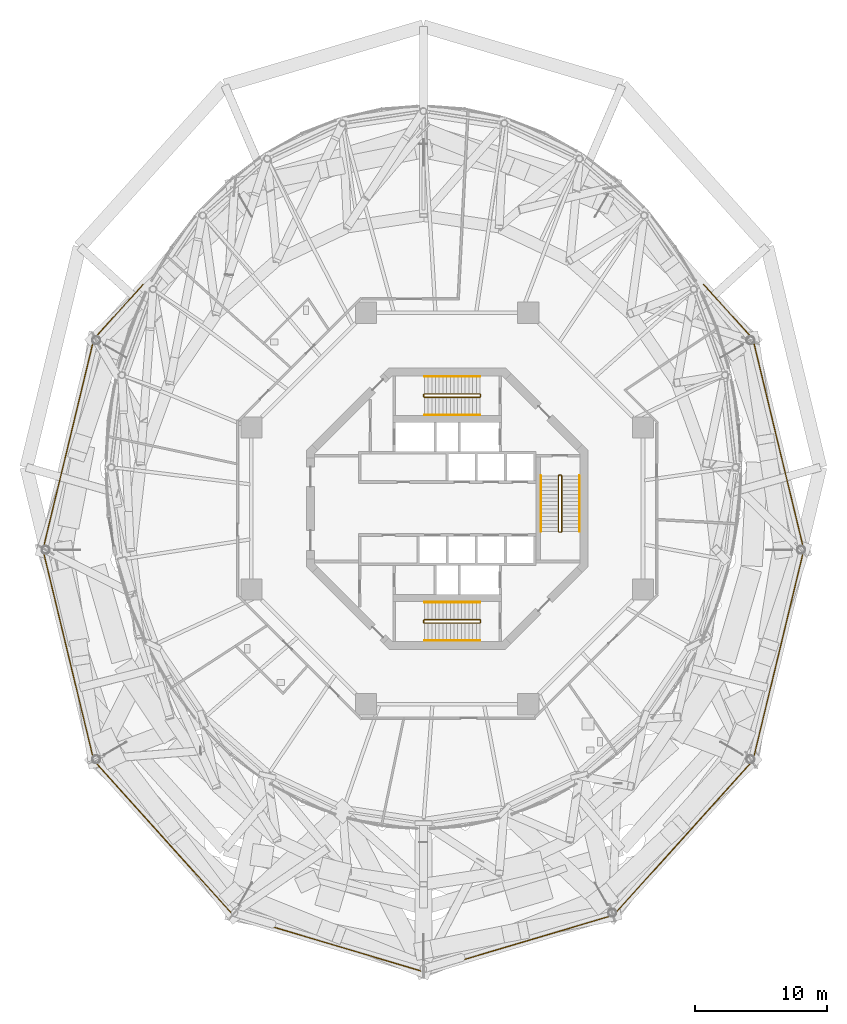
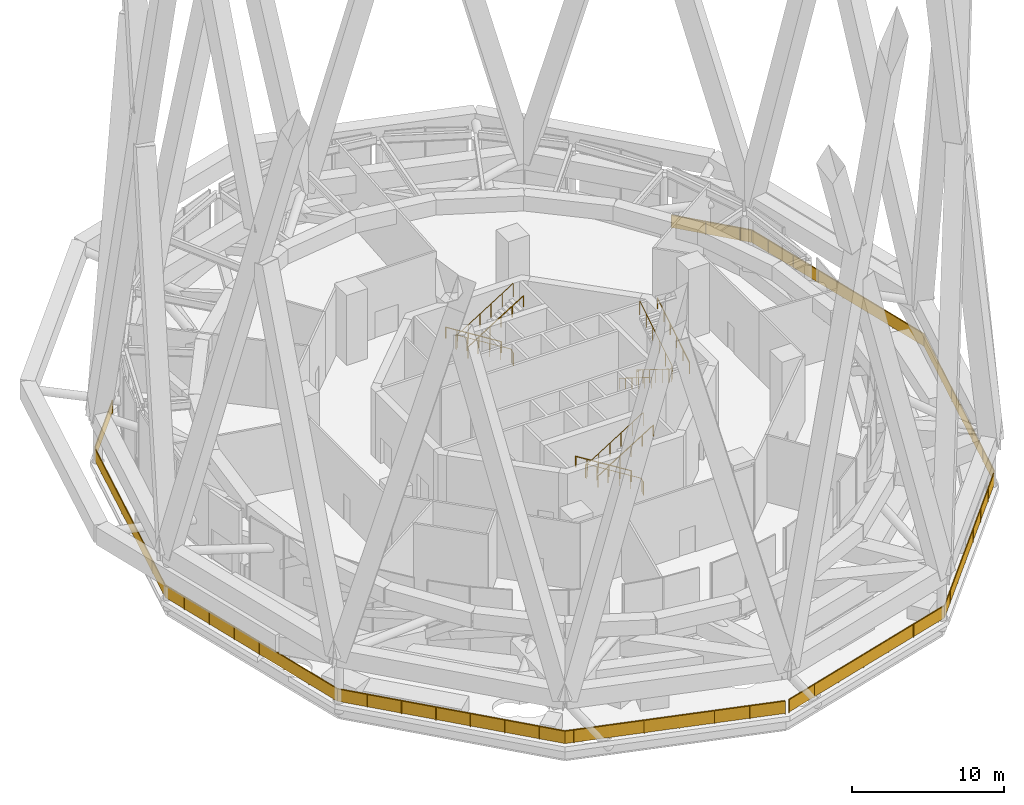
# One storey, part 47 of 48: 11 railings.
"""IFC4 building model written with IfcOpenShell, lengths in metres."""

from ifc_helpers import new_model, si_unit, direction, frame, origin, origin_2d, place, context, subcontext, project, spatial, polyline, rectangle, circle, outline, extrude, material, type_object, element, save


model = new_model("IFC4")

# Units and contexts
model_context = context("Model", 3, precision=1e-05, world=origin(), true_north=direction((0.0, 1.0)))
body_context = subcontext(model_context, "Body", "Model", "MODEL_VIEW")
ifc_project = project(units=[si_unit("LENGTHUNIT", "METRE"), si_unit("AREAUNIT", "SQUARE_METRE"), si_unit("VOLUMEUNIT", "CUBIC_METRE"), si_unit("PLANEANGLEUNIT", "RADIAN"), si_unit("MASSUNIT", "GRAM", prefix="KILO")], contexts=[model_context])

# Site, building, storey
site_placement = place(None, origin())
site = spatial("IfcSite", under=ifc_project, at=site_placement, CompositionType="ELEMENT")
building_placement = place(site_placement, origin())
building = spatial("IfcBuilding", under=site, at=building_placement, Name="Nagisa Residences", CompositionType="ELEMENT")
storey_placement = place(building_placement, frame((0.0, 0.0, 252.89990234375)))
storey = spatial("IfcBuildingStorey", under=building, at=storey_placement, Name="L64", CompositionType="ELEMENT", Elevation=252.89990234375)

# Railings
ifc_material_1 = material(Name="Stainless steel 316", Category="steel")
railing_type_1 = type_object("IfcRailingType", Name="ROOF GUARD 1100", PredefinedType="GUARDRAIL", material=ifc_material_1)
railing_1_placement = place(storey_placement, frame((-1.94384765625, -34.923583984375, 0.0)))
element("IfcRailing", 1, at=railing_1_placement, inside=storey, type_object=railing_type_1, Name="guard:L64:deck00-0", PredefinedType="GUARDRAIL", context=body_context, shape_type="SweptSolid", body=[
    extrude(outline(polyline([(-14.240966796875, 4.207275390625), (-0.007080078125, -0.02392578125), (0.007080078125, 0.02392578125), (-14.213134765625, 4.251220703125), (-24.71484375, 15.901611328125), (-28.55615234375, 31.805908203125), (-24.71484375, 47.710205078125), (-21.0, 51.8310546875), (-21.037109375, 51.86474609375), (-24.7607421875, 47.734130859375), (-28.607421875, 31.805908203125), (-24.7607421875, 15.877685546875), (-14.240966796875, 4.207275390625)])), frame((0.0, 0.0, 1.050048828125)), (0.0, 0.0, 1.0), 0.050048828125),
    extrude(outline(polyline([(-14.23095703125, 4.22314453125), (-0.001953125, -0.006591796875), (0.001953125, 0.006591796875), (-14.22314453125, 4.2353515625), (-24.7314453125, 15.89306640625), (-28.57470703125, 31.805908203125), (-24.7314453125, 47.71875), (-21.013427734375, 51.84326171875), (-21.023681640625, 51.8525390625), (-24.744140625, 47.7255859375), (-28.5888671875, 31.805908203125), (-24.744140625, 15.88623046875), (-14.23095703125, 4.22314453125)])), frame((0.0, 0.0, 0.06005859375)), (0.0, 0.0, 1.0), 0.989990234375),
    extrude(rectangle(XDim=0.0400390625, YDim=0.0400390625, at=origin_2d()), origin(), (0.0, 0.0, 1.0), 1.050048828125),
    extrude(rectangle(XDim=0.0400390625, YDim=0.0400390625, at=origin_2d()), frame((-2.275390625, 0.676513671875, 0.0)), (0.0, 0.0, 1.0), 1.050048828125),
    extrude(rectangle(XDim=0.0400390625, YDim=0.0400390625, at=origin_2d()), frame((-4.551025390625, 1.352783203125, 0.0)), (0.0, 0.0, 1.0), 1.050048828125),
    extrude(rectangle(XDim=0.0400390625, YDim=0.0400390625, at=origin_2d()), frame((-6.826416015625, 2.029296875, 0.0)), (0.0, 0.0, 1.0), 1.050048828125),
    extrude(rectangle(XDim=0.0400390625, YDim=0.0400390625, at=origin_2d()), frame((-9.10205078125, 2.705810546875, 0.0)), (0.0, 0.0, 1.0), 1.050048828125),
    extrude(rectangle(XDim=0.0400390625, YDim=0.0400390625, at=origin_2d()), frame((-11.37744140625, 3.382080078125, 0.0)), (0.0, 0.0, 1.0), 1.050048828125),
    extrude(rectangle(XDim=0.0400390625, YDim=0.0400390625, at=origin_2d()), frame((-13.65283203125, 4.05859375, 0.0)), (0.0, 0.0, 1.0), 1.050048828125),
    extrude(rectangle(XDim=0.0400390625, YDim=0.0400390625, at=origin_2d()), frame((-15.41552734375, 5.547607421875, 0.0)), (0.0, 0.0, 1.0), 1.050048828125),
    extrude(rectangle(XDim=0.0400390625, YDim=0.0400390625, at=origin_2d()), frame((-17.0048828125, 7.31103515625, 0.0)), (0.0, 0.0, 1.0), 1.050048828125),
    extrude(rectangle(XDim=0.0400390625, YDim=0.0400390625, at=origin_2d()), frame((-18.59423828125, 9.07421875, 0.0)), (0.0, 0.0, 1.0), 1.050048828125),
    extrude(rectangle(XDim=0.0400390625, YDim=0.0400390625, at=origin_2d()), frame((-20.183837890625, 10.83740234375, 0.0)), (0.0, 0.0, 1.0), 1.050048828125),
    extrude(rectangle(XDim=0.0400390625, YDim=0.0400390625, at=origin_2d()), frame((-21.773193359375, 12.600830078125, 0.0)), (0.0, 0.0, 1.0), 1.050048828125),
    extrude(rectangle(XDim=0.0400390625, YDim=0.0400390625, at=origin_2d()), frame((-23.362548828125, 14.364013671875, 0.0)), (0.0, 0.0, 1.0), 1.050048828125),
    extrude(rectangle(XDim=0.0400390625, YDim=0.0400390625, at=origin_2d()), frame((-24.81298828125, 16.20068359375, 0.0)), (0.0, 0.0, 1.0), 1.050048828125),
    extrude(rectangle(XDim=0.0400390625, YDim=0.0400390625, at=origin_2d()), frame((-25.3701171875, 18.50830078125, 0.0)), (0.0, 0.0, 1.0), 1.050048828125),
    extrude(rectangle(XDim=0.0400390625, YDim=0.0400390625, at=origin_2d()), frame((-25.927490234375, 20.815673828125, 0.0)), (0.0, 0.0, 1.0), 1.050048828125),
    extrude(rectangle(XDim=0.0400390625, YDim=0.0400390625, at=origin_2d()), frame((-26.48486328125, 23.123291015625, 0.0)), (0.0, 0.0, 1.0), 1.050048828125),
    extrude(rectangle(XDim=0.0400390625, YDim=0.0400390625, at=origin_2d()), frame((-27.042236328125, 25.430908203125, 0.0)), (0.0, 0.0, 1.0), 1.050048828125),
    extrude(rectangle(XDim=0.0400390625, YDim=0.0400390625, at=origin_2d()), frame((-27.599365234375, 27.738525390625, 0.0)), (0.0, 0.0, 1.0), 1.050048828125),
    extrude(rectangle(XDim=0.0400390625, YDim=0.0400390625, at=origin_2d()), frame((-28.15673828125, 30.0458984375, 0.0)), (0.0, 0.0, 1.0), 1.050048828125),
    extrude(rectangle(XDim=0.0400390625, YDim=0.0400390625, at=origin_2d()), frame((-28.449462890625, 32.353515625, 0.0)), (0.0, 0.0, 1.0), 1.050048828125),
    extrude(rectangle(XDim=0.0400390625, YDim=0.0400390625, at=origin_2d()), frame((-27.89208984375, 34.6611328125, 0.0)), (0.0, 0.0, 1.0), 1.050048828125),
    extrude(rectangle(XDim=0.0400390625, YDim=0.0400390625, at=origin_2d()), frame((-27.3349609375, 36.96875, 0.0)), (0.0, 0.0, 1.0), 1.050048828125),
    extrude(rectangle(XDim=0.0400390625, YDim=0.0400390625, at=origin_2d()), frame((-26.777587890625, 39.2763671875, 0.0)), (0.0, 0.0, 1.0), 1.050048828125),
    extrude(rectangle(XDim=0.0400390625, YDim=0.0400390625, at=origin_2d()), frame((-26.22021484375, 41.583740234375, 0.0)), (0.0, 0.0, 1.0), 1.050048828125),
    extrude(rectangle(XDim=0.0400390625, YDim=0.0400390625, at=origin_2d()), frame((-25.6630859375, 43.891357421875, 0.0)), (0.0, 0.0, 1.0), 1.050048828125),
    extrude(rectangle(XDim=0.0400390625, YDim=0.0400390625, at=origin_2d()), frame((-25.105712890625, 46.198974609375, 0.0)), (0.0, 0.0, 1.0), 1.050048828125),
    extrude(rectangle(XDim=0.0400390625, YDim=0.0400390625, at=origin_2d()), frame((-24.197509765625, 48.321533203125, 0.0)), (0.0, 0.0, 1.0), 1.050048828125),
    extrude(rectangle(XDim=0.0400390625, YDim=0.0400390625, at=origin_2d()), frame((-22.608154296875, 50.084716796875, 0.0)), (0.0, 0.0, 1.0), 1.050048828125),
    extrude(rectangle(XDim=0.0400390625, YDim=0.0400390625, at=origin_2d()), frame((-21.0185546875, 51.847900390625, 0.0)), (0.0, 0.0, 1.0), 1.050048828125),
])
railing_2_placement = place(storey_placement, frame((19.362548828125, 16.92431640625, 0.0)))
element("IfcRailing", 2, at=railing_2_placement, inside=storey, type_object=railing_type_1, Name="guard:L64:deck01-0", PredefinedType="GUARDRAIL", context=body_context, shape_type="SweptSolid", body=[
    extrude(outline(polyline([(3.741943359375, -4.11376953125), (0.0185546875, 0.016845703125), (-0.0185546875, -0.016845703125), (3.696044921875, -4.1376953125), (7.53759765625, -20.0419921875), (3.696044921875, -35.9462890625), (-6.8056640625, -47.5966796875), (-21.02587890625, -51.823974609375), (-21.01171875, -51.871826171875), (-6.77783203125, -47.640625), (3.741943359375, -35.97021484375), (7.5888671875, -20.0419921875), (3.741943359375, -4.11376953125)])), frame((0.0, 0.0, 1.050048828125)), (0.0, 0.0, 1.0), 0.050048828125),
    extrude(outline(polyline([(3.725341796875, -4.122314453125), (0.005126953125, 0.004638671875), (-0.005126953125, -0.004638671875), (3.712646484375, -4.129150390625), (7.55615234375, -20.0419921875), (3.712646484375, -35.954833984375), (-6.795654296875, -47.612548828125), (-21.020751953125, -51.84130859375), (-21.016845703125, -51.8544921875), (-6.787841796875, -47.624755859375), (3.725341796875, -35.961669921875), (7.5703125, -20.0419921875), (3.725341796875, -4.122314453125)])), frame((0.0, 0.0, 0.06005859375)), (0.0, 0.0, 1.0), 0.989990234375),
    extrude(rectangle(XDim=0.0400390625, YDim=0.0400390625, at=origin_2d()), origin(), (0.0, 0.0, 1.0), 1.050048828125),
    extrude(rectangle(XDim=0.0400390625, YDim=0.0400390625, at=origin_2d()), frame((1.58935546875, -1.76318359375, 0.0)), (0.0, 0.0, 1.0), 1.050048828125),
    extrude(rectangle(XDim=0.0400390625, YDim=0.0400390625, at=origin_2d()), frame((3.178955078125, -3.526611328125, 0.0)), (0.0, 0.0, 1.0), 1.050048828125),
    extrude(rectangle(XDim=0.0400390625, YDim=0.0400390625, at=origin_2d()), frame((4.0869140625, -5.649169921875, 0.0)), (0.0, 0.0, 1.0), 1.050048828125),
    extrude(rectangle(XDim=0.0400390625, YDim=0.0400390625, at=origin_2d()), frame((4.644287109375, -7.956787109375, 0.0)), (0.0, 0.0, 1.0), 1.050048828125),
    extrude(rectangle(XDim=0.0400390625, YDim=0.0400390625, at=origin_2d()), frame((5.20166015625, -10.26416015625, 0.0)), (0.0, 0.0, 1.0), 1.050048828125),
    extrude(rectangle(XDim=0.0400390625, YDim=0.0400390625, at=origin_2d()), frame((5.759033203125, -12.57177734375, 0.0)), (0.0, 0.0, 1.0), 1.050048828125),
    extrude(rectangle(XDim=0.0400390625, YDim=0.0400390625, at=origin_2d()), frame((6.31640625, -14.87939453125, 0.0)), (0.0, 0.0, 1.0), 1.050048828125),
    extrude(rectangle(XDim=0.0400390625, YDim=0.0400390625, at=origin_2d()), frame((6.87353515625, -17.186767578125, 0.0)), (0.0, 0.0, 1.0), 1.050048828125),
    extrude(rectangle(XDim=0.0400390625, YDim=0.0400390625, at=origin_2d()), frame((7.430908203125, -19.494384765625, 0.0)), (0.0, 0.0, 1.0), 1.050048828125),
    extrude(rectangle(XDim=0.0400390625, YDim=0.0400390625, at=origin_2d()), frame((7.13818359375, -21.802001953125, 0.0)), (0.0, 0.0, 1.0), 1.050048828125),
    extrude(rectangle(XDim=0.0400390625, YDim=0.0400390625, at=origin_2d()), frame((6.580810546875, -24.109619140625, 0.0)), (0.0, 0.0, 1.0), 1.050048828125),
    extrude(rectangle(XDim=0.0400390625, YDim=0.0400390625, at=origin_2d()), frame((6.0234375, -26.4169921875, 0.0)), (0.0, 0.0, 1.0), 1.050048828125),
    extrude(rectangle(XDim=0.0400390625, YDim=0.0400390625, at=origin_2d()), frame((5.466064453125, -28.724609375, 0.0)), (0.0, 0.0, 1.0), 1.050048828125),
    extrude(rectangle(XDim=0.0400390625, YDim=0.0400390625, at=origin_2d()), frame((4.90869140625, -31.0322265625, 0.0)), (0.0, 0.0, 1.0), 1.050048828125),
    extrude(rectangle(XDim=0.0400390625, YDim=0.0400390625, at=origin_2d()), frame((4.3515625, -33.339599609375, 0.0)), (0.0, 0.0, 1.0), 1.050048828125),
    extrude(rectangle(XDim=0.0400390625, YDim=0.0400390625, at=origin_2d()), frame((3.794189453125, -35.647216796875, 0.0)), (0.0, 0.0, 1.0), 1.050048828125),
    extrude(rectangle(XDim=0.0400390625, YDim=0.0400390625, at=origin_2d()), frame((2.34375, -37.48388671875, 0.0)), (0.0, 0.0, 1.0), 1.050048828125),
    extrude(rectangle(XDim=0.0400390625, YDim=0.0400390625, at=origin_2d()), frame((0.75439453125, -39.2470703125, 0.0)), (0.0, 0.0, 1.0), 1.050048828125),
    extrude(rectangle(XDim=0.0400390625, YDim=0.0400390625, at=origin_2d()), frame((-0.8349609375, -41.010498046875, 0.0)), (0.0, 0.0, 1.0), 1.050048828125),
    extrude(rectangle(XDim=0.0400390625, YDim=0.0400390625, at=origin_2d()), frame((-2.424560546875, -42.773681640625, 0.0)), (0.0, 0.0, 1.0), 1.050048828125),
    extrude(rectangle(XDim=0.0400390625, YDim=0.0400390625, at=origin_2d()), frame((-4.013916015625, -44.536865234375, 0.0)), (0.0, 0.0, 1.0), 1.050048828125),
    extrude(rectangle(XDim=0.0400390625, YDim=0.0400390625, at=origin_2d()), frame((-5.603271484375, -46.30029296875, 0.0)), (0.0, 0.0, 1.0), 1.050048828125),
    extrude(rectangle(XDim=0.0400390625, YDim=0.0400390625, at=origin_2d()), frame((-7.365966796875, -47.789306640625, 0.0)), (0.0, 0.0, 1.0), 1.050048828125),
    extrude(rectangle(XDim=0.0400390625, YDim=0.0400390625, at=origin_2d()), frame((-9.641357421875, -48.4658203125, 0.0)), (0.0, 0.0, 1.0), 1.050048828125),
    extrude(rectangle(XDim=0.0400390625, YDim=0.0400390625, at=origin_2d()), frame((-11.916748046875, -49.14208984375, 0.0)), (0.0, 0.0, 1.0), 1.050048828125),
    extrude(rectangle(XDim=0.0400390625, YDim=0.0400390625, at=origin_2d()), frame((-14.1923828125, -49.818603515625, 0.0)), (0.0, 0.0, 1.0), 1.050048828125),
    extrude(rectangle(XDim=0.0400390625, YDim=0.0400390625, at=origin_2d()), frame((-16.4677734375, -50.4951171875, 0.0)), (0.0, 0.0, 1.0), 1.050048828125),
    extrude(rectangle(XDim=0.0400390625, YDim=0.0400390625, at=origin_2d()), frame((-18.743408203125, -51.17138671875, 0.0)), (0.0, 0.0, 1.0), 1.050048828125),
    extrude(rectangle(XDim=0.0400390625, YDim=0.0400390625, at=origin_2d()), frame((-21.018798828125, -51.847900390625, 0.0)), (0.0, 0.0, 1.0), 1.050048828125),
])
ifc_material_2 = material(Name="Stainless steel", Category="steel")
railing_type_2 = type_object("IfcRailingType", Name="Stair guard 1100", PredefinedType="GUARDRAIL", material=ifc_material_2)
railing_3_placement = place(storey_placement, frame((8.599609375, 2.52490234375, 0.0)))
element("IfcRailing", 3, at=railing_3_placement, inside=storey, type_object=railing_type_2, Name="L64 ST-E stair guard 1", PredefinedType="GUARDRAIL", context=body_context, shape_type="SweptSolid", body=[
    extrude(circle(Radius=0.02392578125, at=origin_2d()), frame((0.0, 0.0, 1.076171875), z_axis=(-1.0, 0.0, 0.0), x_axis=(0.0, -1.0, 0.0)), (0.0, 0.0, 1.0), 0.14990234375),
    extrude(circle(Radius=0.02392578125, at=origin_2d()), frame((-0.14990234375, 0.0, 1.076171875), z_axis=(-0.265155923931, -0.263862480399, 0.927399011991), x_axis=(0.705375805398, -0.708833529934, 0.0)), (0.0, 0.0, 1.0), 0.188720703125),
    extrude(circle(Radius=0.02392578125, at=origin_2d()), frame((-0.199951171875, -0.0498046875, 1.2509765625), z_axis=(0.0, -0.848009380541, 0.529981217134), x_axis=(1.0, 0.0, 0.0)), (0.0, 0.0, 1.0), 4.953125),
    extrude(circle(Radius=0.02392578125, at=origin_2d()), frame((-0.199951171875, -4.25, 3.8759765625), z_axis=(0.708833529934, -0.705375805398, 0.0), x_axis=(0.705375805398, 0.708833529934, 0.0)), (0.0, 0.0, 1.0), 0.070556640625),
    extrude(circle(Radius=0.02392578125, at=origin_2d()), frame((-0.14990234375, -4.2998046875, 3.8759765625), z_axis=(1.0, 0.0, 0.0), x_axis=(0.0, 1.0, 0.0)), (0.0, 0.0, 1.0), 0.14990234375),
    extrude(circle(Radius=0.02392578125, at=origin_2d()), frame((0.0, -4.2998046875, 3.8759765625), z_axis=(0.265155923931, 0.263862480399, 0.927399011991), x_axis=(-0.705375805398, 0.708833529934, 0.0)), (0.0, 0.0, 1.0), 0.188720703125),
    extrude(circle(Radius=0.02392578125, at=origin_2d()), frame((0.050048828125, -4.25, 4.05126953125), z_axis=(0.0, 0.848009380541, 0.529981217134), x_axis=(-1.0, 0.0, 0.0)), (0.0, 0.0, 1.0), 4.953125),
    extrude(circle(Radius=0.02099609375, at=origin_2d()), origin(), (0.0, 0.0, 1.0), 1.052001953125),
    extrude(circle(Radius=0.02099609375, at=origin_2d()), frame((-0.14990234375, 0.0, 0.0)), (0.0, 0.0, 1.0), 1.052001953125),
    extrude(circle(Radius=0.02099609375, at=origin_2d()), frame((-0.199951171875, -0.0498046875, 0.175048828125)), (0.0, 0.0, 1.0), 1.052001953125),
    extrude(circle(Radius=0.02099609375, at=origin_2d()), frame((-0.199951171875, -0.889892578125, 0.699951171875)), (0.0, 0.0, 1.0), 1.052001953125),
    extrude(circle(Radius=0.02099609375, at=origin_2d()), frame((-0.199951171875, -1.72998046875, 1.22509765625)), (0.0, 0.0, 1.0), 1.052001953125),
    extrude(circle(Radius=0.02099609375, at=origin_2d()), frame((-0.199951171875, -2.56982421875, 1.75)), (0.0, 0.0, 1.0), 1.052001953125),
    extrude(circle(Radius=0.02099609375, at=origin_2d()), frame((-0.199951171875, -3.409912109375, 2.275146484375)), (0.0, 0.0, 1.0), 1.052001953125),
    extrude(circle(Radius=0.02099609375, at=origin_2d()), frame((-0.199951171875, -4.25, 2.800048828125)), (0.0, 0.0, 1.0), 1.052001953125),
    extrude(circle(Radius=0.02099609375, at=origin_2d()), frame((-0.14990234375, -4.2998046875, 2.800048828125)), (0.0, 0.0, 1.0), 1.052001953125),
    extrude(circle(Radius=0.02099609375, at=origin_2d()), frame((0.0, -4.2998046875, 2.800048828125)), (0.0, 0.0, 1.0), 1.052001953125),
    extrude(circle(Radius=0.02099609375, at=origin_2d()), frame((0.050048828125, -4.25, 2.97509765625)), (0.0, 0.0, 1.0), 1.052001953125),
    extrude(circle(Radius=0.02099609375, at=origin_2d()), frame((0.050048828125, -3.409912109375, 3.5)), (0.0, 0.0, 1.0), 1.052001953125),
    extrude(circle(Radius=0.02099609375, at=origin_2d()), frame((0.050048828125, -2.56982421875, 4.025146484375)), (0.0, 0.0, 1.0), 1.052001953125),
    extrude(circle(Radius=0.02099609375, at=origin_2d()), frame((0.050048828125, -1.72998046875, 4.550048828125)), (0.0, 0.0, 1.0), 1.052001953125),
    extrude(circle(Radius=0.02099609375, at=origin_2d()), frame((0.050048828125, -0.889892578125, 5.0751953125)), (0.0, 0.0, 1.0), 1.052001953125),
    extrude(circle(Radius=0.02099609375, at=origin_2d()), frame((0.050048828125, -0.0498046875, 5.60009765625)), (0.0, 0.0, 1.0), 1.052001953125),
])
railing_4_placement = place(storey_placement, frame((2.52490234375, 8.44970703125, 0.0)))
element("IfcRailing", 4, at=railing_4_placement, inside=storey, type_object=railing_type_2, Name="L64 ST-N stair guard 1", PredefinedType="GUARDRAIL", context=body_context, shape_type="SweptSolid", body=[
    extrude(circle(Radius=0.02392578125, at=origin_2d()), frame((0.0, 0.0, 1.076171875), z_axis=(0.0, 1.0, 0.0), x_axis=(-1.0, 0.0, 0.0)), (0.0, 0.0, 1.0), 0.14990234375),
    extrude(circle(Radius=0.02392578125, at=origin_2d()), frame((0.0, 0.14990234375, 1.076171875), z_axis=(-0.263862480399, 0.265155923931, 0.927399011991), x_axis=(-0.708833529934, -0.705375805398, 0.0)), (0.0, 0.0, 1.0), 0.188720703125),
    extrude(circle(Radius=0.02392578125, at=origin_2d()), frame((-0.0498046875, 0.199951171875, 1.2509765625), z_axis=(-0.848009380541, 0.0, 0.529981217134), x_axis=(0.0, -1.0, 0.0)), (0.0, 0.0, 1.0), 4.953125),
    extrude(circle(Radius=0.02392578125, at=origin_2d()), frame((-4.25, 0.199951171875, 3.8759765625), z_axis=(-0.705375805398, -0.708833529934, 0.0), x_axis=(0.708833529934, -0.705375805398, 0.0)), (0.0, 0.0, 1.0), 0.070556640625),
    extrude(circle(Radius=0.02392578125, at=origin_2d()), frame((-4.2998046875, 0.14990234375, 3.8759765625), z_axis=(0.0, -1.0, 0.0), x_axis=(1.0, 0.0, 0.0)), (0.0, 0.0, 1.0), 0.14990234375),
    extrude(circle(Radius=0.02392578125, at=origin_2d()), frame((-4.2998046875, 0.0, 3.8759765625), z_axis=(0.263862480399, -0.265155923931, 0.927399011991), x_axis=(0.708833529934, 0.705375805398, 0.0)), (0.0, 0.0, 1.0), 0.188720703125),
    extrude(circle(Radius=0.02392578125, at=origin_2d()), frame((-4.25, -0.050048828125, 4.05126953125), z_axis=(0.848009380541, 0.0, 0.529981217134), x_axis=(0.0, 1.0, 0.0)), (0.0, 0.0, 1.0), 4.953125),
    extrude(circle(Radius=0.02099609375, at=origin_2d()), origin(), (0.0, 0.0, 1.0), 1.052001953125),
    extrude(circle(Radius=0.02099609375, at=origin_2d()), frame((0.0, 0.14990234375, 0.0)), (0.0, 0.0, 1.0), 1.052001953125),
    extrude(circle(Radius=0.02099609375, at=origin_2d()), frame((-0.0498046875, 0.199951171875, 0.175048828125)), (0.0, 0.0, 1.0), 1.052001953125),
    extrude(circle(Radius=0.02099609375, at=origin_2d()), frame((-0.889892578125, 0.199951171875, 0.699951171875)), (0.0, 0.0, 1.0), 1.052001953125),
    extrude(circle(Radius=0.02099609375, at=origin_2d()), frame((-1.72998046875, 0.199951171875, 1.22509765625)), (0.0, 0.0, 1.0), 1.052001953125),
    extrude(circle(Radius=0.02099609375, at=origin_2d()), frame((-2.56982421875, 0.199951171875, 1.75)), (0.0, 0.0, 1.0), 1.052001953125),
    extrude(circle(Radius=0.02099609375, at=origin_2d()), frame((-3.409912109375, 0.199951171875, 2.275146484375)), (0.0, 0.0, 1.0), 1.052001953125),
    extrude(circle(Radius=0.02099609375, at=origin_2d()), frame((-4.25, 0.199951171875, 2.800048828125)), (0.0, 0.0, 1.0), 1.052001953125),
    extrude(circle(Radius=0.02099609375, at=origin_2d()), frame((-4.2998046875, 0.14990234375, 2.800048828125)), (0.0, 0.0, 1.0), 1.052001953125),
    extrude(circle(Radius=0.02099609375, at=origin_2d()), frame((-4.2998046875, 0.0, 2.800048828125)), (0.0, 0.0, 1.0), 1.052001953125),
    extrude(circle(Radius=0.02099609375, at=origin_2d()), frame((-4.25, -0.050048828125, 2.97509765625)), (0.0, 0.0, 1.0), 1.052001953125),
    extrude(circle(Radius=0.02099609375, at=origin_2d()), frame((-3.409912109375, -0.050048828125, 3.5)), (0.0, 0.0, 1.0), 1.052001953125),
    extrude(circle(Radius=0.02099609375, at=origin_2d()), frame((-2.56982421875, -0.050048828125, 4.025146484375)), (0.0, 0.0, 1.0), 1.052001953125),
    extrude(circle(Radius=0.02099609375, at=origin_2d()), frame((-1.72998046875, -0.050048828125, 4.550048828125)), (0.0, 0.0, 1.0), 1.052001953125),
    extrude(circle(Radius=0.02099609375, at=origin_2d()), frame((-0.889892578125, -0.050048828125, 5.0751953125)), (0.0, 0.0, 1.0), 1.052001953125),
    extrude(circle(Radius=0.02099609375, at=origin_2d()), frame((-0.0498046875, -0.050048828125, 5.60009765625)), (0.0, 0.0, 1.0), 1.052001953125),
])
railing_5_placement = place(storey_placement, frame((2.52490234375, -8.599609375, 0.0)))
element("IfcRailing", 5, at=railing_5_placement, inside=storey, type_object=railing_type_2, Name="L64 ST-S stair guard 1", PredefinedType="GUARDRAIL", context=body_context, shape_type="SweptSolid", body=[
    extrude(circle(Radius=0.02392578125, at=origin_2d()), frame((0.0, 0.0, 1.076171875), z_axis=(0.0, 1.0, 0.0), x_axis=(-1.0, 0.0, 0.0)), (0.0, 0.0, 1.0), 0.14990234375),
    extrude(circle(Radius=0.02392578125, at=origin_2d()), frame((0.0, 0.14990234375, 1.076171875), z_axis=(-0.263862480399, 0.265155923931, 0.927399011991), x_axis=(-0.708833529934, -0.705375805398, 0.0)), (0.0, 0.0, 1.0), 0.188720703125),
    extrude(circle(Radius=0.02392578125, at=origin_2d()), frame((-0.0498046875, 0.199951171875, 1.2509765625), z_axis=(-0.848009380541, 0.0, 0.529981217134), x_axis=(0.0, -1.0, 0.0)), (0.0, 0.0, 1.0), 4.953125),
    extrude(circle(Radius=0.02392578125, at=origin_2d()), frame((-4.25, 0.199951171875, 3.8759765625), z_axis=(-0.705375805398, -0.708833529934, 0.0), x_axis=(0.708833529934, -0.705375805398, 0.0)), (0.0, 0.0, 1.0), 0.070556640625),
    extrude(circle(Radius=0.02392578125, at=origin_2d()), frame((-4.2998046875, 0.14990234375, 3.8759765625), z_axis=(0.0, -1.0, 0.0), x_axis=(1.0, 0.0, 0.0)), (0.0, 0.0, 1.0), 0.14990234375),
    extrude(circle(Radius=0.02392578125, at=origin_2d()), frame((-4.2998046875, 0.0, 3.8759765625), z_axis=(0.263862480399, -0.265155923931, 0.927399011991), x_axis=(0.708833529934, 0.705375805398, 0.0)), (0.0, 0.0, 1.0), 0.188720703125),
    extrude(circle(Radius=0.02392578125, at=origin_2d()), frame((-4.25, -0.050048828125, 4.05126953125), z_axis=(0.848009380541, 0.0, 0.529981217134), x_axis=(0.0, 1.0, 0.0)), (0.0, 0.0, 1.0), 4.953125),
    extrude(circle(Radius=0.02099609375, at=origin_2d()), origin(), (0.0, 0.0, 1.0), 1.052001953125),
    extrude(circle(Radius=0.02099609375, at=origin_2d()), frame((0.0, 0.14990234375, 0.0)), (0.0, 0.0, 1.0), 1.052001953125),
    extrude(circle(Radius=0.02099609375, at=origin_2d()), frame((-0.0498046875, 0.199951171875, 0.175048828125)), (0.0, 0.0, 1.0), 1.052001953125),
    extrude(circle(Radius=0.02099609375, at=origin_2d()), frame((-0.889892578125, 0.199951171875, 0.699951171875)), (0.0, 0.0, 1.0), 1.052001953125),
    extrude(circle(Radius=0.02099609375, at=origin_2d()), frame((-1.72998046875, 0.199951171875, 1.22509765625)), (0.0, 0.0, 1.0), 1.052001953125),
    extrude(circle(Radius=0.02099609375, at=origin_2d()), frame((-2.56982421875, 0.199951171875, 1.75)), (0.0, 0.0, 1.0), 1.052001953125),
    extrude(circle(Radius=0.02099609375, at=origin_2d()), frame((-3.409912109375, 0.199951171875, 2.275146484375)), (0.0, 0.0, 1.0), 1.052001953125),
    extrude(circle(Radius=0.02099609375, at=origin_2d()), frame((-4.25, 0.199951171875, 2.800048828125)), (0.0, 0.0, 1.0), 1.052001953125),
    extrude(circle(Radius=0.02099609375, at=origin_2d()), frame((-4.2998046875, 0.14990234375, 2.800048828125)), (0.0, 0.0, 1.0), 1.052001953125),
    extrude(circle(Radius=0.02099609375, at=origin_2d()), frame((-4.2998046875, 0.0, 2.800048828125)), (0.0, 0.0, 1.0), 1.052001953125),
    extrude(circle(Radius=0.02099609375, at=origin_2d()), frame((-4.25, -0.050048828125, 2.97509765625)), (0.0, 0.0, 1.0), 1.052001953125),
    extrude(circle(Radius=0.02099609375, at=origin_2d()), frame((-3.409912109375, -0.050048828125, 3.5)), (0.0, 0.0, 1.0), 1.052001953125),
    extrude(circle(Radius=0.02099609375, at=origin_2d()), frame((-2.56982421875, -0.050048828125, 4.025146484375)), (0.0, 0.0, 1.0), 1.052001953125),
    extrude(circle(Radius=0.02099609375, at=origin_2d()), frame((-1.72998046875, -0.050048828125, 4.550048828125)), (0.0, 0.0, 1.0), 1.052001953125),
    extrude(circle(Radius=0.02099609375, at=origin_2d()), frame((-0.889892578125, -0.050048828125, 5.0751953125)), (0.0, 0.0, 1.0), 1.052001953125),
    extrude(circle(Radius=0.02099609375, at=origin_2d()), frame((-0.0498046875, -0.050048828125, 5.60009765625)), (0.0, 0.0, 1.0), 1.052001953125),
])
ifc_material_3 = material(Name="Stainless steel", Category="steel")
railing_type_3 = type_object("IfcRailingType", Name="Stair handrail 900", PredefinedType="HANDRAIL", material=ifc_material_3)
railing_6_placement = place(storey_placement, frame((7.07470703125, 2.47509765625, 0.175048828125)))
element("IfcRailing", 6, at=railing_6_placement, inside=storey, type_object=railing_type_3, Name="L64 ST-E stair handrail 1", PredefinedType="HANDRAIL", context=body_context, shape_type="SweptSolid", body=[
    extrude(circle(Radius=0.02392578125, at=origin_2d()), frame((0.0, 0.0, 0.8759765625), z_axis=(0.0, -0.848009380541, 0.529981217134), x_axis=(1.0, 0.0, 0.0)), (0.0, 0.0, 1.0), 4.953125),
    extrude(circle(Radius=0.02099609375, at=origin_2d()), origin(), (0.0, 0.0, 1.0), 0.851806640625),
    extrude(circle(Radius=0.02099609375, at=origin_2d()), frame((0.0, -0.840087890625, 0.52490234375)), (0.0, 0.0, 1.0), 0.851806640625),
    extrude(circle(Radius=0.02099609375, at=origin_2d()), frame((0.0, -1.68017578125, 1.050048828125)), (0.0, 0.0, 1.0), 0.851806640625),
    extrude(circle(Radius=0.02099609375, at=origin_2d()), frame((0.0, -2.52001953125, 1.574951171875)), (0.0, 0.0, 1.0), 0.851806640625),
    extrude(circle(Radius=0.02099609375, at=origin_2d()), frame((0.0, -3.360107421875, 2.10009765625)), (0.0, 0.0, 1.0), 0.851806640625),
    extrude(circle(Radius=0.02099609375, at=origin_2d()), frame((0.0, -4.2001953125, 2.625)), (0.0, 0.0, 1.0), 0.851806640625),
])
railing_7_placement = place(storey_placement, frame((9.974609375, -1.72509765625, 2.97509765625)))
element("IfcRailing", 7, at=railing_7_placement, inside=storey, type_object=railing_type_3, Name="L64 ST-E stair handrail 2", PredefinedType="HANDRAIL", context=body_context, shape_type="SweptSolid", body=[
    extrude(circle(Radius=0.02392578125, at=origin_2d()), frame((0.0, 0.0, 0.8759765625), z_axis=(0.0, 0.848009380541, 0.529981217134), x_axis=(-1.0, 0.0, 0.0)), (0.0, 0.0, 1.0), 4.953125),
    extrude(circle(Radius=0.02099609375, at=origin_2d()), origin(), (0.0, 0.0, 1.0), 0.851806640625),
    extrude(circle(Radius=0.02099609375, at=origin_2d()), frame((0.0, 0.840087890625, 0.52490234375)), (0.0, 0.0, 1.0), 0.851806640625),
    extrude(circle(Radius=0.02099609375, at=origin_2d()), frame((0.0, 1.68017578125, 1.050048828125)), (0.0, 0.0, 1.0), 0.851806640625),
    extrude(circle(Radius=0.02099609375, at=origin_2d()), frame((0.0, 2.52001953125, 1.574951171875)), (0.0, 0.0, 1.0), 0.851806640625),
    extrude(circle(Radius=0.02099609375, at=origin_2d()), frame((0.0, 3.360107421875, 2.10009765625)), (0.0, 0.0, 1.0), 0.851806640625),
    extrude(circle(Radius=0.02099609375, at=origin_2d()), frame((0.0, 4.2001953125, 2.625)), (0.0, 0.0, 1.0), 0.851806640625),
])
railing_8_placement = place(storey_placement, frame((2.47509765625, 9.974609375, 0.175048828125)))
element("IfcRailing", 8, at=railing_8_placement, inside=storey, type_object=railing_type_3, Name="L64 ST-N stair handrail 1", PredefinedType="HANDRAIL", context=body_context, shape_type="SweptSolid", body=[
    extrude(circle(Radius=0.02392578125, at=origin_2d()), frame((0.0, 0.0, 0.8759765625), z_axis=(-0.848009380541, 0.0, 0.529981217134), x_axis=(0.0, -1.0, 0.0)), (0.0, 0.0, 1.0), 4.953125),
    extrude(circle(Radius=0.02099609375, at=origin_2d()), origin(), (0.0, 0.0, 1.0), 0.851806640625),
    extrude(circle(Radius=0.02099609375, at=origin_2d()), frame((-0.840087890625, 0.0, 0.52490234375)), (0.0, 0.0, 1.0), 0.851806640625),
    extrude(circle(Radius=0.02099609375, at=origin_2d()), frame((-1.68017578125, 0.0, 1.050048828125)), (0.0, 0.0, 1.0), 0.851806640625),
    extrude(circle(Radius=0.02099609375, at=origin_2d()), frame((-2.52001953125, 0.0, 1.574951171875)), (0.0, 0.0, 1.0), 0.851806640625),
    extrude(circle(Radius=0.02099609375, at=origin_2d()), frame((-3.360107421875, 0.0, 2.10009765625)), (0.0, 0.0, 1.0), 0.851806640625),
    extrude(circle(Radius=0.02099609375, at=origin_2d()), frame((-4.2001953125, 0.0, 2.625)), (0.0, 0.0, 1.0), 0.851806640625),
])
railing_9_placement = place(storey_placement, frame((-1.72509765625, 7.07470703125, 2.97509765625)))
element("IfcRailing", 9, at=railing_9_placement, inside=storey, type_object=railing_type_3, Name="L64 ST-N stair handrail 2", PredefinedType="HANDRAIL", context=body_context, shape_type="SweptSolid", body=[
    extrude(circle(Radius=0.02392578125, at=origin_2d()), frame((0.0, 0.0, 0.8759765625), z_axis=(0.848009380541, 0.0, 0.529981217134), x_axis=(0.0, 1.0, 0.0)), (0.0, 0.0, 1.0), 4.953125),
    extrude(circle(Radius=0.02099609375, at=origin_2d()), origin(), (0.0, 0.0, 1.0), 0.851806640625),
    extrude(circle(Radius=0.02099609375, at=origin_2d()), frame((0.840087890625, 0.0, 0.52490234375)), (0.0, 0.0, 1.0), 0.851806640625),
    extrude(circle(Radius=0.02099609375, at=origin_2d()), frame((1.68017578125, 0.0, 1.050048828125)), (0.0, 0.0, 1.0), 0.851806640625),
    extrude(circle(Radius=0.02099609375, at=origin_2d()), frame((2.52001953125, 0.0, 1.574951171875)), (0.0, 0.0, 1.0), 0.851806640625),
    extrude(circle(Radius=0.02099609375, at=origin_2d()), frame((3.360107421875, 0.0, 2.10009765625)), (0.0, 0.0, 1.0), 0.851806640625),
    extrude(circle(Radius=0.02099609375, at=origin_2d()), frame((4.2001953125, 0.0, 2.625)), (0.0, 0.0, 1.0), 0.851806640625),
])
railing_10_placement = place(storey_placement, frame((2.47509765625, -7.07470703125, 0.175048828125)))
element("IfcRailing", 10, at=railing_10_placement, inside=storey, type_object=railing_type_3, Name="L64 ST-S stair handrail 1", PredefinedType="HANDRAIL", context=body_context, shape_type="SweptSolid", body=[
    extrude(circle(Radius=0.02392578125, at=origin_2d()), frame((0.0, 0.0, 0.8759765625), z_axis=(-0.848009380541, 0.0, 0.529981217134), x_axis=(0.0, -1.0, 0.0)), (0.0, 0.0, 1.0), 4.953125),
    extrude(circle(Radius=0.02099609375, at=origin_2d()), origin(), (0.0, 0.0, 1.0), 0.851806640625),
    extrude(circle(Radius=0.02099609375, at=origin_2d()), frame((-0.840087890625, 0.0, 0.52490234375)), (0.0, 0.0, 1.0), 0.851806640625),
    extrude(circle(Radius=0.02099609375, at=origin_2d()), frame((-1.68017578125, 0.0, 1.050048828125)), (0.0, 0.0, 1.0), 0.851806640625),
    extrude(circle(Radius=0.02099609375, at=origin_2d()), frame((-2.52001953125, 0.0, 1.574951171875)), (0.0, 0.0, 1.0), 0.851806640625),
    extrude(circle(Radius=0.02099609375, at=origin_2d()), frame((-3.360107421875, 0.0, 2.10009765625)), (0.0, 0.0, 1.0), 0.851806640625),
    extrude(circle(Radius=0.02099609375, at=origin_2d()), frame((-4.2001953125, 0.0, 2.625)), (0.0, 0.0, 1.0), 0.851806640625),
])
railing_11_placement = place(storey_placement, frame((-1.72509765625, -9.974609375, 2.97509765625)))
element("IfcRailing", 11, at=railing_11_placement, inside=storey, type_object=railing_type_3, Name="L64 ST-S stair handrail 2", PredefinedType="HANDRAIL", context=body_context, shape_type="SweptSolid", body=[
    extrude(circle(Radius=0.02392578125, at=origin_2d()), frame((0.0, 0.0, 0.8759765625), z_axis=(0.848009380541, 0.0, 0.529981217134), x_axis=(0.0, 1.0, 0.0)), (0.0, 0.0, 1.0), 4.953125),
    extrude(circle(Radius=0.02099609375, at=origin_2d()), origin(), (0.0, 0.0, 1.0), 0.851806640625),
    extrude(circle(Radius=0.02099609375, at=origin_2d()), frame((0.840087890625, 0.0, 0.52490234375)), (0.0, 0.0, 1.0), 0.851806640625),
    extrude(circle(Radius=0.02099609375, at=origin_2d()), frame((1.68017578125, 0.0, 1.050048828125)), (0.0, 0.0, 1.0), 0.851806640625),
    extrude(circle(Radius=0.02099609375, at=origin_2d()), frame((2.52001953125, 0.0, 1.574951171875)), (0.0, 0.0, 1.0), 0.851806640625),
    extrude(circle(Radius=0.02099609375, at=origin_2d()), frame((3.360107421875, 0.0, 2.10009765625)), (0.0, 0.0, 1.0), 0.851806640625),
    extrude(circle(Radius=0.02099609375, at=origin_2d()), frame((4.2001953125, 0.0, 2.625)), (0.0, 0.0, 1.0), 0.851806640625),
])

save(model, "model.ifc")
